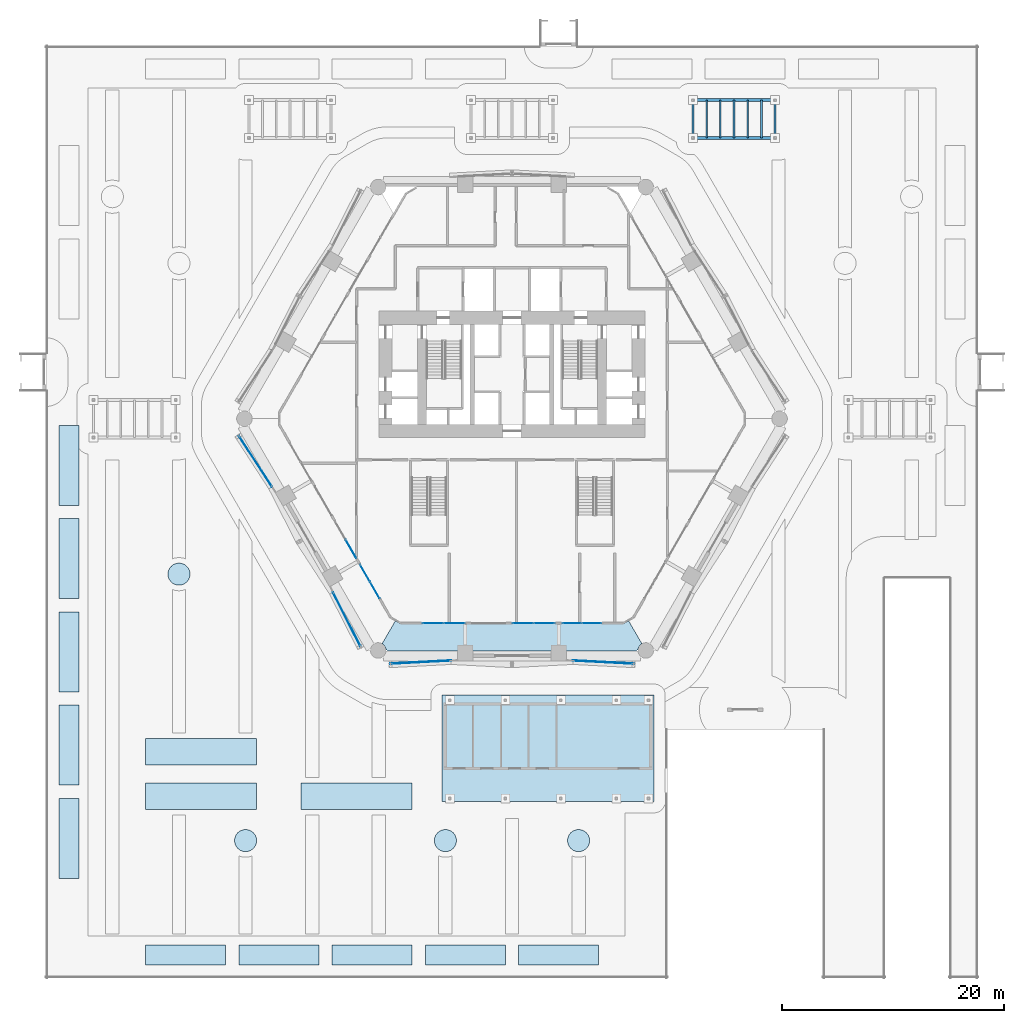
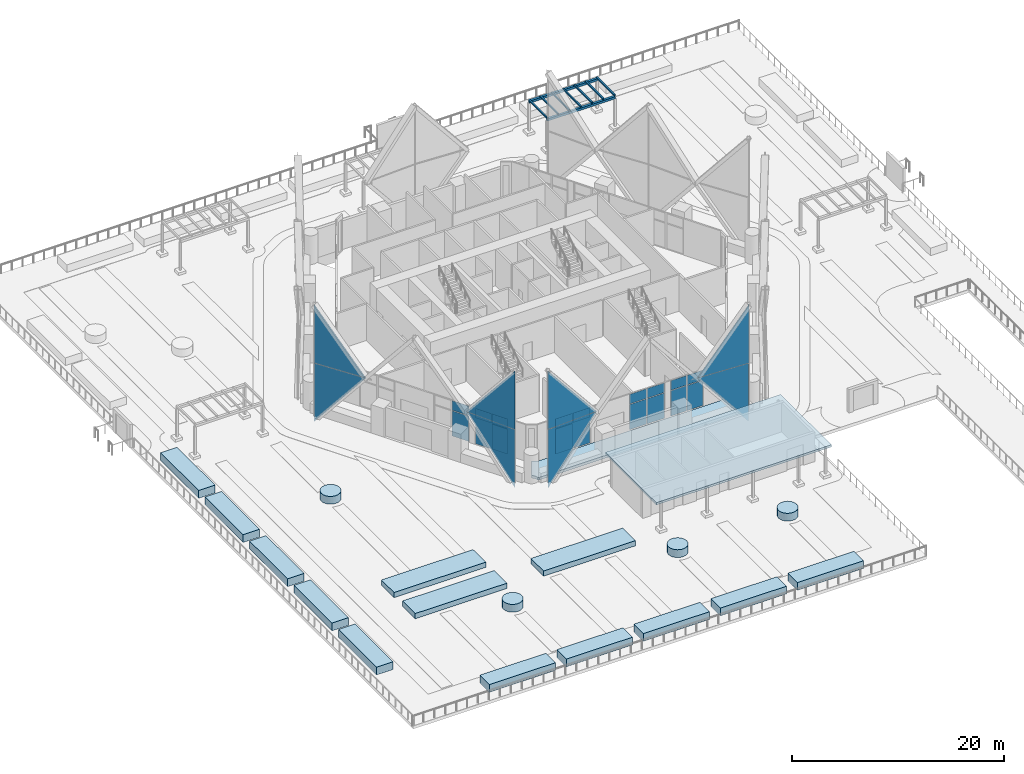
# One storey, part 49 of 71: 26 plates, 19 slabs, 7 members, 2 beams, 13 elements without a shape of their own.
"""IFC4 building model written with IfcOpenShell, lengths in metres."""

from ifc_helpers import new_model, si_unit, direction, frame, origin, origin_2d, place, context, subcontext, project, spatial, polyline, rectangle, hollow_rectangle, outline, extrude, material, layer, layer_set, material_profile, profile_set, type_object, element, aggregate, save


model = new_model("IFC4")

# Units and contexts
model_context = context("Model", 3, precision=1e-05, world=origin(), true_north=direction((0.0, 1.0)))
body_context = subcontext(model_context, "Body", "Model", "MODEL_VIEW")
ifc_project = project(units=[si_unit("LENGTHUNIT", "METRE"), si_unit("AREAUNIT", "SQUARE_METRE"), si_unit("VOLUMEUNIT", "CUBIC_METRE"), si_unit("PLANEANGLEUNIT", "RADIAN"), si_unit("MASSUNIT", "GRAM", prefix="KILO")], contexts=[model_context])

# Site, building, storey
site_placement = place(None, origin())
site = spatial("IfcSite", under=ifc_project, at=site_placement, CompositionType="ELEMENT")
building_placement = place(site_placement, origin())
building = spatial("IfcBuilding", under=site, at=building_placement, Name="Ostrander Bayou Hotel Tower", CompositionType="ELEMENT")
storey_placement = place(building_placement, frame((0.0, 0.0, 10.0)))
storey = spatial("IfcBuildingStorey", under=building, at=storey_placement, Name="L02", CompositionType="ELEMENT", Elevation=10.0)

# Beams
ifc_material_1 = material(Name="Steel ASTM A500 Gr C", Category="steel")
ifc_material_profile_1 = material_profile(ifc_material_1, hollow_rectangle(XDim=0.25390625, YDim=0.25390625, WallThickness=0.01171875, at=origin_2d()))
ifc_profile_set_1 = profile_set([ifc_material_profile_1], Name="Steel ASTM A500 Gr C")
beam_type = type_object("IfcBeamType", Name="PG2 pergola beam HSS10x10x1/2", PredefinedType="BEAM", material=ifc_profile_set_1)
for number, where, z_axis, x_axis, name in (
    (1, (16.300048828125, 25.300048828125, 3.626953125), (1.0, 0.0, 0.0), (0.0, 1.0, 0.0), "PG2 pergola 3 beam 1"),
    (2, (16.300048828125, 28.699951171875, 3.626953125), (1.0, 0.0, 0.0), (0.0, 1.0, 0.0), "PG2 pergola 3 beam 2"),
):
    element("IfcBeam", number, at=place(storey_placement, frame(where, z_axis=z_axis, x_axis=x_axis)), inside=storey, type_object=beam_type, Name=name, PredefinedType="BEAM", context=body_context, shape_type="SweptSolid", body=[
        extrude(hollow_rectangle(XDim=0.25390625, YDim=0.25390625, WallThickness=0.01171875, at=origin_2d()), origin(), (0.0, 0.0, 1.0), 7.39990234375),
    ])

# Members
ifc_material_2 = material(Name="Steel ASTM A500 Gr C", Category="steel")
ifc_material_profile_2 = material_profile(ifc_material_2, hollow_rectangle(XDim=0.15234375, YDim=0.15234375, WallThickness=0.0087890625, at=origin_2d()))
ifc_profile_set_2 = profile_set([ifc_material_profile_2], Name="Steel ASTM A500 Gr C")
member_type = type_object("IfcMemberType", Name="PG3 pergola rafter HSS6x6x3/8", PredefinedType="RAFTER", material=ifc_profile_set_2)
for number, where, z_axis, x_axis, name in (
    (3, (16.300048828125, 25.300048828125, 3.830078125), (0.0, 1.0, 0.0), (-1.0, 0.0, 0.0), "PG3 pergola 3 rafter 1"),
    (4, (17.533203125, 25.300048828125, 3.830078125), (0.0, 1.0, 0.0), (-1.0, 0.0, 0.0), "PG3 pergola 3 rafter 2"),
    (5, (18.7666015625, 25.300048828125, 3.830078125), (0.0, 1.0, 0.0), (-1.0, 0.0, 0.0), "PG3 pergola 3 rafter 3"),
    (6, (20.0, 25.300048828125, 3.830078125), (0.0, 1.0, 0.0), (-1.0, 0.0, 0.0), "PG3 pergola 3 rafter 4"),
    (7, (21.2333984375, 25.300048828125, 3.830078125), (0.0, 1.0, 0.0), (-1.0, 0.0, 0.0), "PG3 pergola 3 rafter 5"),
    (8, (22.466796875, 25.300048828125, 3.830078125), (0.0, 1.0, 0.0), (-1.0, 0.0, 0.0), "PG3 pergola 3 rafter 6"),
    (9, (23.699951171875, 25.300048828125, 3.830078125), (0.0, 1.0, 0.0), (-1.0, 0.0, 0.0), "PG3 pergola 3 rafter 7"),
):
    element("IfcMember", number, at=place(storey_placement, frame(where, z_axis=z_axis, x_axis=x_axis)), inside=storey, type_object=member_type, Name=name, PredefinedType="RAFTER", context=body_context, shape_type="SweptSolid", body=[
        extrude(hollow_rectangle(XDim=0.15234375, YDim=0.15234375, WallThickness=0.0087890625, at=origin_2d()), origin(), (0.0, 0.0, 1.0), 3.39990234375),
    ])

# Curtain wall, plate
ifc_material_3 = material(Name="Aluminium and clear glass", Category="aluminium")
curtain_wall_type_1 = type_object("IfcCurtainWallType", Name="CW-LAT lattice glazing", PredefinedType="NOTDEFINED", material=ifc_material_3)
curtain_wall_1_placement = place(storey_placement, origin())
curtain_wall_1 = element("IfcCurtainWall", 10, at=curtain_wall_1_placement, inside=storey, type_object=curtain_wall_type_1, Name="CW-LAT L02 SW 3", PredefinedType="NOTDEFINED")
ifc_material_4 = material(Name="Clear laminated glass", Category="glass")
ifc_layer_1 = layer(ifc_material_4, 0.028076171875)
ifc_layer_set_1 = layer_set([ifc_layer_1], Name="CW-LA glazing panel 28 mm")
plate_type_1 = type_object("IfcPlateType", Name="CW-LA glazing panel 28 mm", PredefinedType="CURTAIN_PANEL", material=ifc_layer_set_1)
plate_1_placement = place(storey_placement, frame((-21.602294921875, -6.14990234375, 6.14990234375), z_axis=(0.838682608864, 0.544620493178, 0.0), x_axis=(-0.343376932244, 0.528779700664, -0.776198628296)))
plate_1 = element("IfcPlate", 11, at=plate_1_placement, type_object=plate_type_1, Name="CW-LAT panel 1", PredefinedType="CURTAIN_PANEL", context=body_context, shape_type="SweptSolid", body=[
    extrude(outline(polyline([(0.0, 0.0), (8.69622768442554, 0.0), (3.4568869434281657, 4.255797058099114), (0.0, 0.0)])), origin(), (0.0, 0.0, -1.0), 0.028076171875),
])
aggregate(curtain_wall_1, [plate_1])

curtain_wall_2_placement = place(storey_placement, origin())
curtain_wall_2 = element("IfcCurtainWall", 12, at=curtain_wall_2_placement, inside=storey, type_object=curtain_wall_type_1, Name="CW-LAT L02 SW 4", PredefinedType="NOTDEFINED")
plate_2_placement = place(storey_placement, frame((-21.602294921875, -6.14990234375, 6.14990234375), z_axis=(-0.838682608864, -0.544620493178, 0.0), x_axis=(-0.343376932244, 0.528779700664, 0.776198628296)))
plate_2 = element("IfcPlate", 13, at=plate_2_placement, type_object=plate_type_1, Name="CW-LAT panel 2", PredefinedType="CURTAIN_PANEL", context=body_context, shape_type="SweptSolid", body=[
    extrude(outline(polyline([(0.0, 0.0), (8.69622768442554, 0.0), (3.4568869434281657, 4.255797058099114), (0.0, 0.0)])), origin(), (0.0, 0.0, -1.0), 0.028076171875),
])
aggregate(curtain_wall_2, [plate_2])

curtain_wall_3_placement = place(storey_placement, origin())
curtain_wall_3 = element("IfcCurtainWall", 14, at=curtain_wall_3_placement, inside=storey, type_object=curtain_wall_type_1, Name="CW-LAT L02 SW 1", PredefinedType="NOTDEFINED")
plate_3_placement = place(storey_placement, frame((-16.126953125, -15.63330078125, 6.14990234375), z_axis=(-0.891017407703, -0.453969139007, 0.0), x_axis=(0.286219486036, -0.561770663617, -0.776203663553)))
plate_3 = element("IfcPlate", 15, at=plate_3_placement, type_object=plate_type_1, Name="CW-LAT panel 3", PredefinedType="CURTAIN_PANEL", context=body_context, shape_type="SweptSolid", body=[
    extrude(outline(polyline([(0.0, 0.0), (8.69617127173284, -8.881784197001252e-16), (3.4567965427527145, 4.255755214920665), (0.0, 0.0)])), origin(), (0.0, 0.0, -1.0), 0.028076171875),
])
aggregate(curtain_wall_3, [plate_3])

curtain_wall_4_placement = place(storey_placement, origin())
curtain_wall_4 = element("IfcCurtainWall", 16, at=curtain_wall_4_placement, inside=storey, type_object=curtain_wall_type_1, Name="CW-LAT L02 SW 2", PredefinedType="NOTDEFINED")
plate_4_placement = place(storey_placement, frame((-16.126953125, -15.63330078125, 6.14990234375), z_axis=(0.891017407703, 0.453969139007, 0.0), x_axis=(0.286219486036, -0.561770663617, 0.776203663553)))
plate_4 = element("IfcPlate", 17, at=plate_4_placement, type_object=plate_type_1, Name="CW-LAT panel 4", PredefinedType="CURTAIN_PANEL", context=body_context, shape_type="SweptSolid", body=[
    extrude(outline(polyline([(0.0, 0.0), (8.69617127173284, -8.881784197001252e-16), (3.4567965427527145, 4.255755214920665), (0.0, 0.0)])), origin(), (0.0, 0.0, -1.0), 0.028076171875),
])
aggregate(curtain_wall_4, [plate_4])

curtain_wall_5_placement = place(storey_placement, origin())
curtain_wall_5 = element("IfcCurtainWall", 18, at=curtain_wall_5_placement, inside=storey, type_object=curtain_wall_type_1, Name="CW-LAT L02 S 3", PredefinedType="NOTDEFINED")
plate_5_placement = place(storey_placement, frame((-5.475341796875, -21.783203125, 6.14990234375), z_axis=(-0.052320446705, 0.998630347454, 0.0), x_axis=(-0.629623537067, -0.032987365945, -0.77619973928)))
plate_5 = element("IfcPlate", 19, at=plate_5_placement, type_object=plate_type_1, Name="CW-LAT panel 1", PredefinedType="CURTAIN_PANEL", context=body_context, shape_type="SweptSolid", body=[
    extrude(outline(polyline([(0.0, 0.0), (8.696215237406408, -8.881784197001252e-16), (3.4568669972645583, 4.255787825834659), (0.0, 0.0)])), origin(), (0.0, 0.0, -1.0), 0.028076171875),
])
aggregate(curtain_wall_5, [plate_5])

curtain_wall_6_placement = place(storey_placement, origin())
curtain_wall_6 = element("IfcCurtainWall", 20, at=curtain_wall_6_placement, inside=storey, type_object=curtain_wall_type_1, Name="CW-LAT L02 S 4", PredefinedType="NOTDEFINED")
plate_6_placement = place(storey_placement, frame((-5.475341796875, -21.783203125, 6.14990234375), z_axis=(0.052320446705, -0.998630347454, 0.0), x_axis=(-0.629623537067, -0.032987365945, 0.77619973928)))
plate_6 = element("IfcPlate", 21, at=plate_6_placement, type_object=plate_type_1, Name="CW-LAT panel 2", PredefinedType="CURTAIN_PANEL", context=body_context, shape_type="SweptSolid", body=[
    extrude(outline(polyline([(0.0, 0.0), (8.696215237406408, -8.881784197001252e-16), (3.4568669972645583, 4.255787825834659), (0.0, 0.0)])), origin(), (0.0, 0.0, -1.0), 0.028076171875),
])
aggregate(curtain_wall_6, [plate_6])

curtain_wall_7_placement = place(storey_placement, origin())
curtain_wall_7 = element("IfcCurtainWall", 22, at=curtain_wall_7_placement, inside=storey, type_object=curtain_wall_type_1, Name="CW-LAT L02 S 1", PredefinedType="NOTDEFINED")
plate_7_placement = place(storey_placement, frame((5.475341796875, -21.783203125, 6.14990234375), z_axis=(-0.052320446705, -0.998630347454, 0.0), x_axis=(0.629623537067, -0.032987365945, -0.77619973928)))
plate_7 = element("IfcPlate", 23, at=plate_7_placement, type_object=plate_type_1, Name="CW-LAT panel 3", PredefinedType="CURTAIN_PANEL", context=body_context, shape_type="SweptSolid", body=[
    extrude(outline(polyline([(0.0, 0.0), (8.696215237406408, -8.881784197001252e-16), (3.4568669972645583, 4.255787825834659), (0.0, 0.0)])), origin(), (0.0, 0.0, -1.0), 0.028076171875),
])
aggregate(curtain_wall_7, [plate_7])

curtain_wall_8_placement = place(storey_placement, origin())
curtain_wall_8 = element("IfcCurtainWall", 24, at=curtain_wall_8_placement, inside=storey, type_object=curtain_wall_type_1, Name="CW-LAT L02 S 2", PredefinedType="NOTDEFINED")
plate_8_placement = place(storey_placement, frame((5.475341796875, -21.783203125, 6.14990234375), z_axis=(0.052320446705, 0.998630347454, 0.0), x_axis=(0.629623537067, -0.032987365945, 0.77619973928)))
plate_8 = element("IfcPlate", 25, at=plate_8_placement, type_object=plate_type_1, Name="CW-LAT panel 4", PredefinedType="CURTAIN_PANEL", context=body_context, shape_type="SweptSolid", body=[
    extrude(outline(polyline([(0.0, 0.0), (8.696215237406408, -8.881784197001252e-16), (3.4568669972645583, 4.255787825834659), (0.0, 0.0)])), origin(), (0.0, 0.0, -1.0), 0.028076171875),
])
aggregate(curtain_wall_8, [plate_8])

# Curtain wall, plates
ifc_material_5 = material(Name="Aluminium and clear glass", Category="aluminium")
curtain_wall_type_2 = type_object("IfcCurtainWallType", Name="CW-SKY amenity glass wall", PredefinedType="NOTDEFINED", material=ifc_material_5)
curtain_wall_9_placement = place(storey_placement, origin())
curtain_wall_9 = element("IfcCurtainWall", 26, at=curtain_wall_9_placement, inside=storey, type_object=curtain_wall_type_2, Name="CW-SKY L02 SW 3", PredefinedType="NOTDEFINED")
ifc_material_6 = material(Name="Clear laminated glass", Category="glass")
ifc_layer_2 = layer(ifc_material_6, 0.028076171875)
ifc_layer_set_2 = layer_set([ifc_layer_2], Name="CW-SK glazing panel 28 mm")
plate_type_2 = type_object("IfcPlateType", Name="CW-SK glazing panel 28 mm", PredefinedType="CURTAIN_PANEL", material=ifc_layer_set_2)
plate_9_placement = place(storey_placement, frame((-14.50146484375, -11.732666015625, 0.06005859375), z_axis=(0.0, 0.0, 1.0), x_axis=(0.499999897278, -0.866025463091, 0.0)))
plate_9 = element("IfcPlate", 27, at=plate_9_placement, type_object=plate_type_2, Name="CW-SKY panel 2.1", PredefinedType="CURTAIN_PANEL", context=body_context, shape_type="SweptSolid", body=[
    extrude(rectangle(XDim=1.860107421875, YDim=0.028076171875, at=origin_2d()), origin(), (0.0, 0.0, 1.0), 2.909912109375),
])
plate_10_placement = place(storey_placement, frame((-14.50146484375, -11.732666015625, 3.02978515625), z_axis=(0.0, 0.0, 1.0), x_axis=(0.499999897278, -0.866025463091, 0.0)))
plate_10 = element("IfcPlate", 28, at=plate_10_placement, type_object=plate_type_2, Name="CW-SKY panel 2.2", PredefinedType="CURTAIN_PANEL", context=body_context, shape_type="SweptSolid", body=[
    extrude(rectangle(XDim=1.860107421875, YDim=0.028076171875, at=origin_2d()), origin(), (0.0, 0.0, 1.0), 1.110107421875),
])
aggregate(curtain_wall_9, [plate_9, plate_10])

curtain_wall_10_placement = place(storey_placement, origin())
curtain_wall_10 = element("IfcCurtainWall", 29, at=curtain_wall_10_placement, inside=storey, type_object=curtain_wall_type_2, Name="CW-SKY L02 SW 4", PredefinedType="NOTDEFINED")
plate_11_placement = place(storey_placement, frame((-13.2490234375, -13.902099609375, 0.06005859375), z_axis=(0.0, 0.0, 1.0), x_axis=(0.499998972029, -0.866025997283, 0.0)))
plate_11 = element("IfcPlate", 30, at=plate_11_placement, type_object=plate_type_2, Name="CW-SKY panel 1.1", PredefinedType="CURTAIN_PANEL", context=body_context, shape_type="SweptSolid", body=[
    extrude(rectangle(XDim=1.7099609375, YDim=0.028076171875, at=origin_2d()), origin(), (0.0, 0.0, 1.0), 2.909912109375),
])
plate_12_placement = place(storey_placement, frame((-13.2490234375, -13.902099609375, 3.02978515625), z_axis=(0.0, 0.0, 1.0), x_axis=(0.499998972029, -0.866025997283, 0.0)))
plate_12 = element("IfcPlate", 31, at=plate_12_placement, type_object=plate_type_2, Name="CW-SKY panel 1.2", PredefinedType="CURTAIN_PANEL", context=body_context, shape_type="SweptSolid", body=[
    extrude(rectangle(XDim=1.7099609375, YDim=0.028076171875, at=origin_2d()), origin(), (0.0, 0.0, 1.0), 1.110107421875),
])
plate_13_placement = place(storey_placement, frame((-12.364013671875, -15.434814453125, 0.06005859375), z_axis=(0.0, 0.0, 1.0), x_axis=(0.499998972029, -0.866025997283, 0.0)))
plate_13 = element("IfcPlate", 32, at=plate_13_placement, type_object=plate_type_2, Name="CW-SKY panel 2.1", PredefinedType="CURTAIN_PANEL", context=body_context, shape_type="SweptSolid", body=[
    extrude(rectangle(XDim=1.7099609375, YDim=0.028076171875, at=origin_2d()), origin(), (0.0, 0.0, 1.0), 2.909912109375),
])
plate_14_placement = place(storey_placement, frame((-12.364013671875, -15.434814453125, 3.02978515625), z_axis=(0.0, 0.0, 1.0), x_axis=(0.499998972029, -0.866025997283, 0.0)))
plate_14 = element("IfcPlate", 33, at=plate_14_placement, type_object=plate_type_2, Name="CW-SKY panel 2.2", PredefinedType="CURTAIN_PANEL", context=body_context, shape_type="SweptSolid", body=[
    extrude(rectangle(XDim=1.7099609375, YDim=0.028076171875, at=origin_2d()), origin(), (0.0, 0.0, 1.0), 1.110107421875),
])
aggregate(curtain_wall_10, [plate_11, plate_12, plate_13, plate_14])

curtain_wall_11_placement = place(storey_placement, origin())
curtain_wall_11 = element("IfcCurtainWall", 34, at=curtain_wall_11_placement, inside=storey, type_object=curtain_wall_type_2, Name="CW-SKY L02 S 1", PredefinedType="NOTDEFINED")
plate_15_placement = place(storey_placement, frame((-7.110107421875, -18.425048828125, 0.06005859375), z_axis=(0.0, 0.0, 1.0), x_axis=(1.0, 0.0, 0.0)))
plate_15 = element("IfcPlate", 35, at=plate_15_placement, type_object=plate_type_2, Name="CW-SKY panel 1.1", PredefinedType="CURTAIN_PANEL", context=body_context, shape_type="SweptSolid", body=[
    extrude(rectangle(XDim=1.860107421875, YDim=0.028076171875, at=origin_2d()), origin(), (0.0, 0.0, 1.0), 2.909912109375),
])
plate_16_placement = place(storey_placement, frame((-7.110107421875, -18.425048828125, 3.02978515625), z_axis=(0.0, 0.0, 1.0), x_axis=(1.0, 0.0, 0.0)))
plate_16 = element("IfcPlate", 36, at=plate_16_placement, type_object=plate_type_2, Name="CW-SKY panel 1.2", PredefinedType="CURTAIN_PANEL", context=body_context, shape_type="SweptSolid", body=[
    extrude(rectangle(XDim=1.860107421875, YDim=0.028076171875, at=origin_2d()), origin(), (0.0, 0.0, 1.0), 1.110107421875),
])
plate_17_placement = place(storey_placement, frame((-5.18994140625, -18.425048828125, 0.06005859375), z_axis=(0.0, 0.0, 1.0), x_axis=(1.0, 0.0, 0.0)))
plate_17 = element("IfcPlate", 37, at=plate_17_placement, type_object=plate_type_2, Name="CW-SKY panel 2.1", PredefinedType="CURTAIN_PANEL", context=body_context, shape_type="SweptSolid", body=[
    extrude(rectangle(XDim=1.860107421875, YDim=0.028076171875, at=origin_2d()), origin(), (0.0, 0.0, 1.0), 2.909912109375),
])
plate_18_placement = place(storey_placement, frame((-5.18994140625, -18.425048828125, 3.02978515625), z_axis=(0.0, 0.0, 1.0), x_axis=(1.0, 0.0, 0.0)))
plate_18 = element("IfcPlate", 38, at=plate_18_placement, type_object=plate_type_2, Name="CW-SKY panel 2.2", PredefinedType="CURTAIN_PANEL", context=body_context, shape_type="SweptSolid", body=[
    extrude(rectangle(XDim=1.860107421875, YDim=0.028076171875, at=origin_2d()), origin(), (0.0, 0.0, 1.0), 1.110107421875),
])
aggregate(curtain_wall_11, [plate_15, plate_16, plate_17, plate_18])

curtain_wall_12_placement = place(storey_placement, origin())
curtain_wall_12 = element("IfcCurtainWall", 39, at=curtain_wall_12_placement, inside=storey, type_object=curtain_wall_type_2, Name="CW-SKY L02 S 3", PredefinedType="NOTDEFINED")
plate_19_placement = place(storey_placement, frame((0.989990234375, -18.425048828125, 0.06005859375), z_axis=(0.0, 0.0, 1.0), x_axis=(1.0, 0.0, 0.0)))
plate_19 = element("IfcPlate", 40, at=plate_19_placement, type_object=plate_type_2, Name="CW-SKY panel 1.1", PredefinedType="CURTAIN_PANEL", context=body_context, shape_type="SweptSolid", body=[
    extrude(rectangle(XDim=1.860107421875, YDim=0.028076171875, at=origin_2d()), origin(), (0.0, 0.0, 1.0), 2.909912109375),
])
plate_20_placement = place(storey_placement, frame((0.989990234375, -18.425048828125, 3.02978515625), z_axis=(0.0, 0.0, 1.0), x_axis=(1.0, 0.0, 0.0)))
plate_20 = element("IfcPlate", 41, at=plate_20_placement, type_object=plate_type_2, Name="CW-SKY panel 1.2", PredefinedType="CURTAIN_PANEL", context=body_context, shape_type="SweptSolid", body=[
    extrude(rectangle(XDim=1.860107421875, YDim=0.028076171875, at=origin_2d()), origin(), (0.0, 0.0, 1.0), 1.110107421875),
])
plate_21_placement = place(storey_placement, frame((2.909912109375, -18.425048828125, 0.06005859375), z_axis=(0.0, 0.0, 1.0), x_axis=(1.0, 0.0, 0.0)))
plate_21 = element("IfcPlate", 42, at=plate_21_placement, type_object=plate_type_2, Name="CW-SKY panel 2.1", PredefinedType="CURTAIN_PANEL", context=body_context, shape_type="SweptSolid", body=[
    extrude(rectangle(XDim=1.860107421875, YDim=0.028076171875, at=origin_2d()), origin(), (0.0, 0.0, 1.0), 2.909912109375),
])
plate_22_placement = place(storey_placement, frame((2.909912109375, -18.425048828125, 3.02978515625), z_axis=(0.0, 0.0, 1.0), x_axis=(1.0, 0.0, 0.0)))
plate_22 = element("IfcPlate", 43, at=plate_22_placement, type_object=plate_type_2, Name="CW-SKY panel 2.2", PredefinedType="CURTAIN_PANEL", context=body_context, shape_type="SweptSolid", body=[
    extrude(rectangle(XDim=1.860107421875, YDim=0.028076171875, at=origin_2d()), origin(), (0.0, 0.0, 1.0), 1.110107421875),
])
aggregate(curtain_wall_12, [plate_19, plate_20, plate_21, plate_22])

curtain_wall_13_placement = place(storey_placement, origin())
curtain_wall_13 = element("IfcCurtainWall", 44, at=curtain_wall_13_placement, inside=storey, type_object=curtain_wall_type_2, Name="CW-SKY L02 S 4", PredefinedType="NOTDEFINED")
plate_23_placement = place(storey_placement, frame((5.4150390625, -18.425048828125, 0.06005859375), z_axis=(0.0, 0.0, 1.0), x_axis=(1.0, 0.0, 0.0)))
plate_23 = element("IfcPlate", 45, at=plate_23_placement, type_object=plate_type_2, Name="CW-SKY panel 1.1", PredefinedType="CURTAIN_PANEL", context=body_context, shape_type="SweptSolid", body=[
    extrude(rectangle(XDim=1.7099609375, YDim=0.028076171875, at=origin_2d()), origin(), (0.0, 0.0, 1.0), 2.909912109375),
])
plate_24_placement = place(storey_placement, frame((5.4150390625, -18.425048828125, 3.02978515625), z_axis=(0.0, 0.0, 1.0), x_axis=(1.0, 0.0, 0.0)))
plate_24 = element("IfcPlate", 46, at=plate_24_placement, type_object=plate_type_2, Name="CW-SKY panel 1.2", PredefinedType="CURTAIN_PANEL", context=body_context, shape_type="SweptSolid", body=[
    extrude(rectangle(XDim=1.7099609375, YDim=0.028076171875, at=origin_2d()), origin(), (0.0, 0.0, 1.0), 1.110107421875),
])
plate_25_placement = place(storey_placement, frame((7.18505859375, -18.425048828125, 0.06005859375), z_axis=(0.0, 0.0, 1.0), x_axis=(1.0, 0.0, 0.0)))
plate_25 = element("IfcPlate", 47, at=plate_25_placement, type_object=plate_type_2, Name="CW-SKY panel 2.1", PredefinedType="CURTAIN_PANEL", context=body_context, shape_type="SweptSolid", body=[
    extrude(rectangle(XDim=1.7099609375, YDim=0.028076171875, at=origin_2d()), origin(), (0.0, 0.0, 1.0), 2.909912109375),
])
plate_26_placement = place(storey_placement, frame((7.18505859375, -18.425048828125, 3.02978515625), z_axis=(0.0, 0.0, 1.0), x_axis=(1.0, 0.0, 0.0)))
plate_26 = element("IfcPlate", 48, at=plate_26_placement, type_object=plate_type_2, Name="CW-SKY panel 2.2", PredefinedType="CURTAIN_PANEL", context=body_context, shape_type="SweptSolid", body=[
    extrude(rectangle(XDim=1.7099609375, YDim=0.028076171875, at=origin_2d()), origin(), (0.0, 0.0, 1.0), 1.110107421875),
])
aggregate(curtain_wall_13, [plate_23, plate_24, plate_25, plate_26])

# Slabs
ifc_material_7 = material(Name="Concrete f'c 40 MPa", Category="concrete")
ifc_layer_3 = layer(ifc_material_7, 0.89990234375)
ifc_layer_set_3 = layer_set([ifc_layer_3], Name="PL1 planter bed 900 mm soil")
slab_type_1 = type_object("IfcSlabType", Name="PL1 planter bed 900 mm soil", PredefinedType="FLOOR", material=ifc_layer_set_3)
slab_1_placement = place(storey_placement, origin())
element("IfcSlab", 49, at=slab_1_placement, inside=storey, type_object=slab_type_1, Name="PLANTER 2", PredefinedType="FLOOR", context=body_context, shape_type="SweptSolid", body=[
    extrude(outline(polyline([(-25.800048828125, -49.199951171875), (-25.800048828125, -47.39990234375), (-33.0, -47.39990234375), (-33.0, -49.199951171875), (-25.800048828125, -49.199951171875)])), origin(), (0.0, 0.0, 1.0), 0.89990234375),
])
slab_2_placement = place(storey_placement, origin())
element("IfcSlab", 50, at=slab_2_placement, inside=storey, type_object=slab_type_1, Name="PLANTER 4", PredefinedType="FLOOR", context=body_context, shape_type="SweptSolid", body=[
    extrude(outline(polyline([(-17.39990234375, -49.199951171875), (-17.39990234375, -47.39990234375), (-24.60009765625, -47.39990234375), (-24.60009765625, -49.199951171875), (-17.39990234375, -49.199951171875)])), origin(), (0.0, 0.0, 1.0), 0.89990234375),
])
slab_3_placement = place(storey_placement, origin())
element("IfcSlab", 51, at=slab_3_placement, inside=storey, type_object=slab_type_1, Name="PLANTER 6", PredefinedType="FLOOR", context=body_context, shape_type="SweptSolid", body=[
    extrude(outline(polyline([(-9.0, -49.199951171875), (-9.0, -47.39990234375), (-16.199951171875, -47.39990234375), (-16.199951171875, -49.199951171875), (-9.0, -49.199951171875)])), origin(), (0.0, 0.0, 1.0), 0.89990234375),
])
slab_4_placement = place(storey_placement, origin())
element("IfcSlab", 52, at=slab_4_placement, inside=storey, type_object=slab_type_1, Name="PLANTER 8", PredefinedType="FLOOR", context=body_context, shape_type="SweptSolid", body=[
    extrude(outline(polyline([(-0.60009765625, -49.199951171875), (-0.60009765625, -47.39990234375), (-7.800048828125, -47.39990234375), (-7.800048828125, -49.199951171875), (-0.60009765625, -49.199951171875)])), origin(), (0.0, 0.0, 1.0), 0.89990234375),
])
slab_5_placement = place(storey_placement, origin())
element("IfcSlab", 53, at=slab_5_placement, inside=storey, type_object=slab_type_1, Name="PLANTER 9", PredefinedType="FLOOR", context=body_context, shape_type="SweptSolid", body=[
    extrude(outline(polyline([(7.800048828125, -49.199951171875), (7.800048828125, -47.39990234375), (0.60009765625, -47.39990234375), (0.60009765625, -49.199951171875), (7.800048828125, -49.199951171875)])), origin(), (0.0, 0.0, 1.0), 0.89990234375),
])
slab_6_placement = place(storey_placement, origin())
element("IfcSlab", 54, at=slab_6_placement, inside=storey, type_object=slab_type_1, Name="PLANTER 13", PredefinedType="FLOOR", context=body_context, shape_type="SweptSolid", body=[
    extrude(outline(polyline([(-39.0, -41.39990234375), (-39.0, -34.199951171875), (-40.800048828125, -34.199951171875), (-40.800048828125, -41.39990234375), (-39.0, -41.39990234375)])), origin(), (0.0, 0.0, 1.0), 0.89990234375),
])
slab_7_placement = place(storey_placement, origin())
element("IfcSlab", 55, at=slab_7_placement, inside=storey, type_object=slab_type_1, Name="PLANTER 14", PredefinedType="FLOOR", context=body_context, shape_type="SweptSolid", body=[
    extrude(outline(polyline([(-39.0, -33.0), (-39.0, -25.800048828125), (-40.800048828125, -25.800048828125), (-40.800048828125, -33.0), (-39.0, -33.0)])), origin(), (0.0, 0.0, 1.0), 0.89990234375),
])
slab_8_placement = place(storey_placement, origin())
element("IfcSlab", 56, at=slab_8_placement, inside=storey, type_object=slab_type_1, Name="PLANTER 15", PredefinedType="FLOOR", context=body_context, shape_type="SweptSolid", body=[
    extrude(outline(polyline([(-39.0, -24.60009765625), (-39.0, -17.39990234375), (-40.800048828125, -17.39990234375), (-40.800048828125, -24.60009765625), (-39.0, -24.60009765625)])), origin(), (0.0, 0.0, 1.0), 0.89990234375),
])
slab_9_placement = place(storey_placement, origin())
element("IfcSlab", 57, at=slab_9_placement, inside=storey, type_object=slab_type_1, Name="PLANTER 16", PredefinedType="FLOOR", context=body_context, shape_type="SweptSolid", body=[
    extrude(outline(polyline([(-39.0, -16.199951171875), (-39.0, -9.0), (-40.800048828125, -9.0), (-40.800048828125, -16.199951171875), (-39.0, -16.199951171875)])), origin(), (0.0, 0.0, 1.0), 0.89990234375),
])
slab_10_placement = place(storey_placement, origin())
element("IfcSlab", 58, at=slab_10_placement, inside=storey, type_object=slab_type_1, Name="PLANTER 17", PredefinedType="FLOOR", context=body_context, shape_type="SweptSolid", body=[
    extrude(outline(polyline([(-39.0, -7.800048828125), (-39.0, -0.60009765625), (-40.800048828125, -0.60009765625), (-40.800048828125, -7.800048828125), (-39.0, -7.800048828125)])), origin(), (0.0, 0.0, 1.0), 0.89990234375),
])
ifc_material_8 = material(Name="Concrete f'c 40 MPa", Category="concrete")
ifc_layer_4 = layer(ifc_material_8, 0.89990234375)
ifc_layer_set_4 = layer_set([ifc_layer_4], Name="PL2 tree pit planter 2000 mm")
slab_type_2 = type_object("IfcSlabType", Name="PL2 tree pit planter 2000 mm", PredefinedType="FLOOR", material=ifc_layer_set_4)
slab_11_placement = place(storey_placement, origin())
element("IfcSlab", 59, at=slab_11_placement, inside=storey, type_object=slab_type_2, Name="PLANTER tree pit 3", PredefinedType="FLOOR", context=body_context, shape_type="SweptSolid", body=[
    extrude(outline(polyline([(-29.0, -14.0), (-29.0341796875, -14.2587890625), (-29.134033203125, -14.5), (-29.29296875, -14.70703125), (-29.5, -14.865966796875), (-29.7412109375, -14.9658203125), (-30.0, -15.0), (-30.2587890625, -14.9658203125), (-30.5, -14.865966796875), (-30.70703125, -14.70703125), (-30.865966796875, -14.5), (-30.9658203125, -14.2587890625), (-31.0, -14.0), (-30.9658203125, -13.7412109375), (-30.865966796875, -13.5), (-30.70703125, -13.29296875), (-30.5, -13.134033203125), (-30.2587890625, -13.0341796875), (-30.0, -13.0), (-29.7412109375, -13.0341796875), (-29.5, -13.134033203125), (-29.29296875, -13.29296875), (-29.134033203125, -13.5), (-29.0341796875, -13.7412109375), (-29.0, -14.0)])), origin(), (0.0, 0.0, 1.0), 0.89990234375),
])
slab_12_placement = place(storey_placement, origin())
element("IfcSlab", 60, at=slab_12_placement, inside=storey, type_object=slab_type_2, Name="PLANTER tree pit 6", PredefinedType="FLOOR", context=body_context, shape_type="SweptSolid", body=[
    extrude(outline(polyline([(-5.0, -38.0), (-5.0341796875, -38.2587890625), (-5.134033203125, -38.5), (-5.29296875, -38.70703125), (-5.5, -38.865966796875), (-5.7412109375, -38.9658203125), (-6.0, -39.0), (-6.2587890625, -38.9658203125), (-6.5, -38.865966796875), (-6.70703125, -38.70703125), (-6.865966796875, -38.5), (-6.9658203125, -38.2587890625), (-7.0, -38.0), (-6.9658203125, -37.7412109375), (-6.865966796875, -37.5), (-6.70703125, -37.29296875), (-6.5, -37.134033203125), (-6.2587890625, -37.0341796875), (-6.0, -37.0), (-5.7412109375, -37.0341796875), (-5.5, -37.134033203125), (-5.29296875, -37.29296875), (-5.134033203125, -37.5), (-5.0341796875, -37.7412109375), (-5.0, -38.0)])), origin(), (0.0, 0.0, 1.0), 0.89990234375),
])
slab_13_placement = place(storey_placement, origin())
element("IfcSlab", 61, at=slab_13_placement, inside=storey, type_object=slab_type_2, Name="PLANTER tree pit 7", PredefinedType="FLOOR", context=body_context, shape_type="SweptSolid", body=[
    extrude(outline(polyline([(7.0, -38.0), (6.9658203125, -38.2587890625), (6.865966796875, -38.5), (6.70703125, -38.70703125), (6.5, -38.865966796875), (6.2587890625, -38.9658203125), (6.0, -39.0), (5.7412109375, -38.9658203125), (5.5, -38.865966796875), (5.29296875, -38.70703125), (5.134033203125, -38.5), (5.0341796875, -38.2587890625), (5.0, -38.0), (5.0341796875, -37.7412109375), (5.134033203125, -37.5), (5.29296875, -37.29296875), (5.5, -37.134033203125), (5.7412109375, -37.0341796875), (6.0, -37.0), (6.2587890625, -37.0341796875), (6.5, -37.134033203125), (6.70703125, -37.29296875), (6.865966796875, -37.5), (6.9658203125, -37.7412109375), (7.0, -38.0)])), origin(), (0.0, 0.0, 1.0), 0.89990234375),
])
slab_14_placement = place(storey_placement, origin())
element("IfcSlab", 62, at=slab_14_placement, inside=storey, type_object=slab_type_2, Name="PLANTER tree pit 8", PredefinedType="FLOOR", context=body_context, shape_type="SweptSolid", body=[
    extrude(outline(polyline([(-23.0, -38.0), (-23.0341796875, -38.2587890625), (-23.134033203125, -38.5), (-23.29296875, -38.70703125), (-23.5, -38.865966796875), (-23.7412109375, -38.9658203125), (-24.0, -39.0), (-24.2587890625, -38.9658203125), (-24.5, -38.865966796875), (-24.70703125, -38.70703125), (-24.865966796875, -38.5), (-24.9658203125, -38.2587890625), (-25.0, -38.0), (-24.9658203125, -37.7412109375), (-24.865966796875, -37.5), (-24.70703125, -37.29296875), (-24.5, -37.134033203125), (-24.2587890625, -37.0341796875), (-24.0, -37.0), (-23.7412109375, -37.0341796875), (-23.5, -37.134033203125), (-23.29296875, -37.29296875), (-23.134033203125, -37.5), (-23.0341796875, -37.7412109375), (-23.0, -38.0)])), origin(), (0.0, 0.0, 1.0), 0.89990234375),
])
ifc_material_9 = material(Name="Concrete f'c 40 MPa", Category="concrete")
ifc_layer_5 = layer(ifc_material_9, 0.25)
ifc_layer_set_5 = layer_set([ifc_layer_5], Name="RF2 pavilion roof slab 250 mm f'c 40 MPa")
slab_type_3 = type_object("IfcSlabType", Name="RF2 pavilion roof slab 250 mm f'c 40 MPa", PredefinedType="ROOF", material=ifc_layer_set_5)
slab_15_placement = place(storey_placement, frame((0.0, 0.0, 3.35009765625)))
element("IfcSlab", 63, at=slab_15_placement, inside=storey, type_object=slab_type_3, Name="PAVILION ROOF", PredefinedType="ROOF", context=body_context, shape_type="SweptSolid", body=[
    extrude(outline(polyline([(12.800048828125, -34.5), (12.800048828125, -24.89990234375), (-6.300048828125, -24.89990234375), (-6.300048828125, -34.5), (12.800048828125, -34.5)])), origin(), (0.0, 0.0, 1.0), 0.25),
])
ifc_material_10 = material(Name="Concrete f'c 40 MPa", Category="concrete")
ifc_layer_6 = layer(ifc_material_10, 0.300048828125)
ifc_layer_set_6 = layer_set([ifc_layer_6], Name="SL4 loggia slab 300 mm f'c 40 MPa")
slab_type_4 = type_object("IfcSlabType", Name="SL4 loggia slab 300 mm f'c 40 MPa", PredefinedType="FLOOR", material=ifc_layer_set_6)
slab_16_placement = place(storey_placement, frame((0.0, 0.0, -0.300048828125)))
element("IfcSlab", 64, at=slab_16_placement, inside=storey, type_object=slab_type_4, Name="SL4 LOGGIA L02 S 1", PredefinedType="FLOOR", context=body_context, shape_type="SweptSolid", body=[
    extrude(outline(polyline([(10.5078125, -18.199951171875), (11.7021484375, -20.2685546875), (11.66162109375, -20.290283203125), (11.5556640625, -20.377197265625), (11.468505859375, -20.4833984375), (11.40380859375, -20.6044921875), (11.364013671875, -20.735595703125), (11.356689453125, -20.809814453125), (11.20068359375, -20.89990234375), (4.865478515625, -20.89990234375), (3.525390625, -20.89990234375), (-3.525390625, -20.89990234375), (-4.865478515625, -20.89990234375), (-11.20068359375, -20.89990234375), (-11.356689453125, -20.809814453125), (-11.364013671875, -20.735595703125), (-11.40380859375, -20.6044921875), (-11.468505859375, -20.4833984375), (-11.5556640625, -20.377197265625), (-11.66162109375, -20.290283203125), (-11.7021484375, -20.2685546875), (-10.5078125, -18.199951171875), (-9.98828125, -18.5), (9.98828125, -18.5), (10.5078125, -18.199951171875)])), origin(), (0.0, 0.0, 1.0), 0.300048828125),
])
ifc_material_11 = material(Name="Concrete f'c 40 MPa", Category="concrete")
ifc_layer_7 = layer(ifc_material_11, 0.60009765625)
ifc_layer_set_7 = layer_set([ifc_layer_7], Name="WB1 water basin 600 mm")
slab_type_5 = type_object("IfcSlabType", Name="WB1 water basin 600 mm", PredefinedType="FLOOR", material=ifc_layer_set_7)
slab_17_placement = place(storey_placement, origin())
element("IfcSlab", 65, at=slab_17_placement, inside=storey, type_object=slab_type_5, Name="WATER BASIN 1", PredefinedType="FLOOR", context=body_context, shape_type="SweptSolid", body=[
    extrude(outline(polyline([(-23.0, -35.199951171875), (-23.0, -32.800048828125), (-33.0, -32.800048828125), (-33.0, -35.199951171875), (-23.0, -35.199951171875)])), origin(), (0.0, 0.0, 1.0), 0.60009765625),
])
slab_18_placement = place(storey_placement, origin())
element("IfcSlab", 66, at=slab_18_placement, inside=storey, type_object=slab_type_5, Name="WATER BASIN 2", PredefinedType="FLOOR", context=body_context, shape_type="SweptSolid", body=[
    extrude(outline(polyline([(-9.0, -35.199951171875), (-9.0, -32.800048828125), (-19.0, -32.800048828125), (-19.0, -35.199951171875), (-9.0, -35.199951171875)])), origin(), (0.0, 0.0, 1.0), 0.60009765625),
])
slab_19_placement = place(storey_placement, origin())
element("IfcSlab", 67, at=slab_19_placement, inside=storey, type_object=slab_type_5, Name="WATER BASIN 3", PredefinedType="FLOOR", context=body_context, shape_type="SweptSolid", body=[
    extrude(outline(polyline([(-23.0, -31.199951171875), (-23.0, -28.800048828125), (-33.0, -28.800048828125), (-33.0, -31.199951171875), (-23.0, -31.199951171875)])), origin(), (0.0, 0.0, 1.0), 0.60009765625),
])

save(model, "model.ifc")
